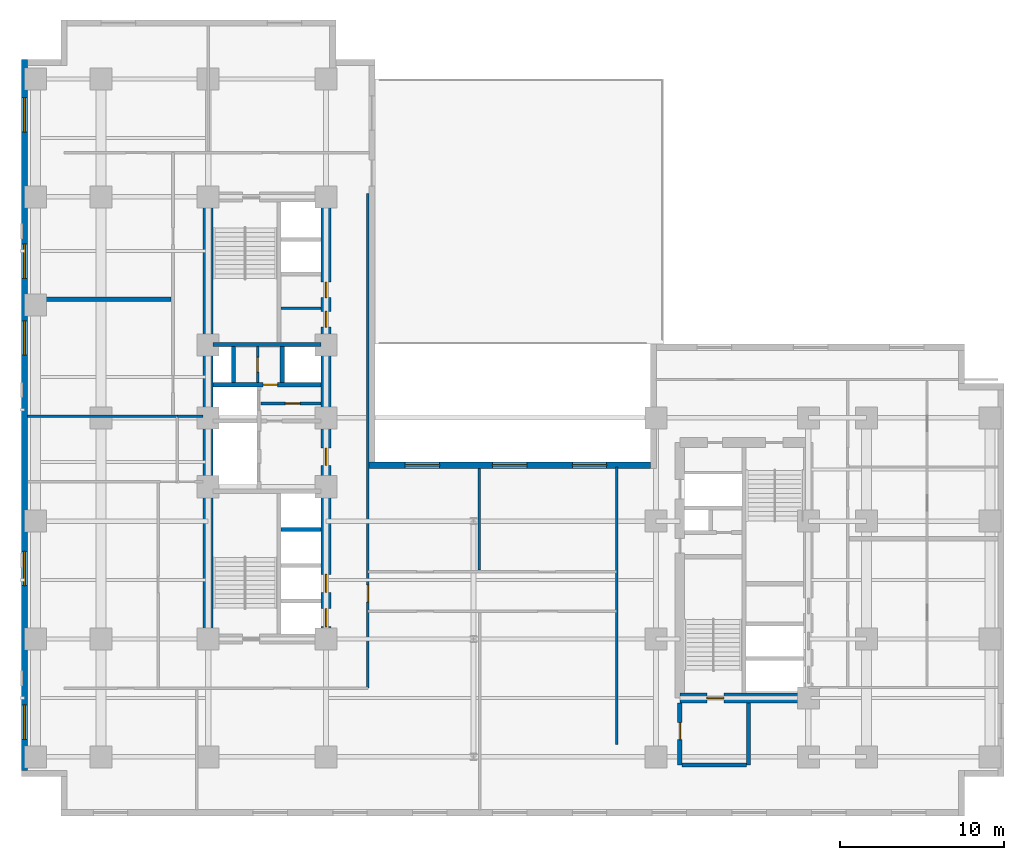
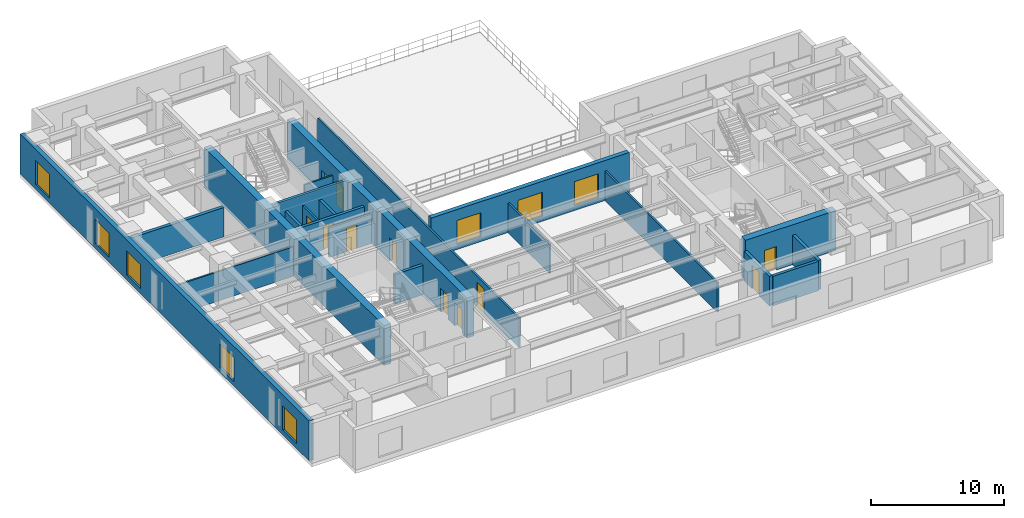
# One storey, part 4 of 10: 23 walls, 11 doors, 8 windows, 19 openings.
"""IFC4 building model written with IfcOpenShell, lengths in metres."""

from ifc_helpers import new_model, entity, si_unit, converted_unit, direction, frame, origin_with_axes, origin_2d_with_axis, place, context, subcontext, project, spatial, polyline, rectangle, outline, extrude, material, layer, layer_set, type_object, element, fill, save


model = new_model("IFC4")

# Units and contexts
model_context = context("Model", 3, precision=1e-05, world=origin_with_axes(), true_north=direction((0.0, 1.0)))
body_context = subcontext(model_context, "Body", "Model", "MODEL_VIEW")
ifc_project = project(units=[si_unit("LENGTHUNIT", "METRE"), si_unit("AREAUNIT", "SQUARE_METRE"), si_unit("VOLUMEUNIT", "CUBIC_METRE"), converted_unit("PLANEANGLEUNIT", "DEGREE", entity("IfcPlaneAngleMeasure", 0.017453292519943295), si_unit("PLANEANGLEUNIT", "RADIAN"), dimensions=[0, 0, 0, 0, 0, 0, 0]), si_unit("MASSUNIT", "GRAM", prefix="KILO"), si_unit("THERMODYNAMICTEMPERATUREUNIT", "KELVIN")], contexts=[model_context])

# Site, building, storey
site_placement = place(None, origin_with_axes())
site = spatial("IfcSite", under=ifc_project, at=site_placement, CompositionType="ELEMENT")
building_placement = place(site_placement, origin_with_axes())
building = spatial("IfcBuilding", under=site, at=building_placement, Name="Varnlund Millrace Tower", CompositionType="ELEMENT")
storey_placement = place(building_placement, frame((0.0, 0.0, 28.8), z_axis=(0.0, 0.0, 1.0), x_axis=(1.0, 0.0, 0.0)))
storey = spatial("IfcBuildingStorey", under=building, at=storey_placement, Name="L06", CompositionType="ELEMENT", Elevation=28.8)

# Wall
ifc_material_1 = material(Name="Concrete C80/95", Category="concrete")
ifc_layer_1 = layer(ifc_material_1, 0.6, Name="Concrete C80/95")
ifc_layer_set_1 = layer_set([ifc_layer_1], Name="Concrete C80/95")
wall_type_1 = type_object("IfcWallType", Name="Type-CoreWall-Shear-600-C80", PredefinedType="SHEAR", material=ifc_layer_set_1)
wall_1_placement = place(storey_placement, frame((11.4, 10.8, 0.0), z_axis=(0.0, 0.0, 1.0), x_axis=(0.0, 1.0, 0.0)))
element("IfcWall", 1, at=wall_1_placement, inside=storey, type_object=wall_type_1, Name="Type-CoreWall-Shear-600-C80", PredefinedType="SHEAR", context=body_context, shape_type="SweptSolid", body=[
    extrude(outline(polyline([(0.0, -0.3), (27.0, -0.3), (27.0, 0.3), (0.0, 0.3), (0.0, -0.3)])), origin_with_axes(), (0.0, 0.0, 1.0), 3.66),
])

# Wall, openings, doors
wall_2_placement = place(storey_placement, frame((18.6, 10.8, 0.0), z_axis=(0.0, 0.0, 1.0), x_axis=(0.0, 1.0, 0.0)))
wall_2 = element("IfcWall", 2, at=wall_2_placement, inside=storey, type_object=wall_type_1, Name="Type-CoreWall-Shear-600-C80", PredefinedType="SHEAR", context=body_context, shape_type="SweptSolid", body=[
    extrude(outline(polyline([(0.0, -0.3), (13.5, -0.3), (13.5, 0.3), (0.0, 0.3), (0.0, -0.3)])), origin_with_axes(), (0.0, 0.0, 1.0), 3.66),
])
opening_1_placement = place(wall_2_placement, frame((1.3, 0.0, 0.0), z_axis=(0.0, 0.0, 1.0), x_axis=(1.0, 0.0, 0.0)))
opening_1 = element("IfcOpeningElement", 3, at=opening_1_placement, cuts=wall_2, Name="Opening L06:LD-ELV-L1", PredefinedType="OPENING", context=body_context, shape_type="SweptSolid", body=[
    extrude(rectangle(XDim=1.1, YDim=0.62, at=origin_2d_with_axis()), origin_with_axes(), (0.0, 0.0, 1.0), 2.15),
])
opening_2_placement = place(wall_2_placement, frame((3.4, 0.0, 0.0), z_axis=(0.0, 0.0, 1.0), x_axis=(1.0, 0.0, 0.0)))
opening_2 = element("IfcOpeningElement", 4, at=opening_2_placement, cuts=wall_2, Name="Opening L06:LD-ELV-L2", PredefinedType="OPENING", context=body_context, shape_type="SweptSolid", body=[
    extrude(rectangle(XDim=1.1, YDim=0.62, at=origin_2d_with_axis()), origin_with_axes(), (0.0, 0.0, 1.0), 2.15),
])
opening_3_placement = place(wall_2_placement, frame((11.125, 0.0, 0.0), z_axis=(0.0, 0.0, 1.0), x_axis=(1.0, 0.0, 0.0)))
opening_3 = element("IfcOpeningElement", 5, at=opening_3_placement, cuts=wall_2, Name="Opening L06:DR-FFLOB-A", PredefinedType="OPENING", context=body_context, shape_type="SweptSolid", body=[
    extrude(rectangle(XDim=1.05, YDim=0.62, at=origin_2d_with_axis()), origin_with_axes(), (0.0, 0.0, 1.0), 2.15),
])
ifc_material_2 = material(Name="Smoke-barrier hollow steel fire door", Category="steel")
door_type_1 = type_object("IfcDoorType", Name="Type-FireDoor-Lobby-1050X2150", OperationType="NOTDEFINED", PredefinedType="DOOR", material=ifc_material_2)
door_1_placement = place(wall_2_placement, frame((11.125, 0.0, 0.0), z_axis=(0.0, 0.0, 1.0), x_axis=(1.0, 0.0, 0.0)))
door_1 = element("IfcDoor", 6, at=door_1_placement, inside=storey, type_object=door_type_1, Name="Type-FireDoor-Lobby-1050X2150", OperationType="SINGLE_SWING_LEFT", OverallHeight=2.15, OverallWidth=1.05, PredefinedType="DOOR", context=body_context, shape_type="SweptSolid", body=[
    extrude(rectangle(XDim=1.05, YDim=0.09, at=origin_2d_with_axis()), origin_with_axes(), (0.0, 0.0, 1.0), 2.15),
])
fill(opening_3, door_1)
ifc_material_3 = material(Name="Stainless and architectural bronze sliding landing door")
door_type_2 = type_object("IfcDoorType", Name="Type-LiftLandingDoor-1100X2150", OperationType="NOTDEFINED", PredefinedType="DOOR", material=ifc_material_3)
door_2_placement = place(wall_2_placement, frame((1.3, 0.0, 0.0), z_axis=(0.0, 0.0, 1.0), x_axis=(1.0, 0.0, 0.0)))
door_2 = element("IfcDoor", 7, at=door_2_placement, inside=storey, type_object=door_type_2, Name="Type-LiftLandingDoor-1100X2150", OperationType="SLIDING_TO_LEFT", OverallHeight=2.15, OverallWidth=1.1, PredefinedType="DOOR", context=body_context, shape_type="SweptSolid", body=[
    extrude(rectangle(XDim=1.1, YDim=0.09, at=origin_2d_with_axis()), origin_with_axes(), (0.0, 0.0, 1.0), 2.15),
])
fill(opening_1, door_2)
door_3_placement = place(wall_2_placement, frame((3.4, 0.0, 0.0), z_axis=(0.0, 0.0, 1.0), x_axis=(1.0, 0.0, 0.0)))
door_3 = element("IfcDoor", 8, at=door_3_placement, inside=storey, type_object=door_type_2, Name="Type-LiftLandingDoor-1100X2150", OperationType="SLIDING_TO_RIGHT", OverallHeight=2.15, OverallWidth=1.1, PredefinedType="DOOR", context=body_context, shape_type="SweptSolid", body=[
    extrude(rectangle(XDim=1.1, YDim=0.09, at=origin_2d_with_axis()), origin_with_axes(), (0.0, 0.0, 1.0), 2.15),
])
fill(opening_2, door_3)

wall_3_placement = place(storey_placement, frame((18.6, 24.3, 0.0), z_axis=(0.0, 0.0, 1.0), x_axis=(0.0, 1.0, 0.0)))
wall_3 = element("IfcWall", 9, at=wall_3_placement, inside=storey, type_object=wall_type_1, Name="Type-CoreWall-Shear-600-C80", PredefinedType="SHEAR", context=body_context, shape_type="SweptSolid", body=[
    extrude(outline(polyline([(0.0, -0.3), (13.5, -0.3), (13.5, 0.3), (0.0, 0.3), (0.0, -0.3)])), origin_with_axes(), (0.0, 0.0, 1.0), 3.66),
])
opening_4_placement = place(wall_3_placement, frame((6.025, 0.0, 0.0), z_axis=(0.0, 0.0, 1.0), x_axis=(1.0, 0.0, 0.0)))
opening_4 = element("IfcOpeningElement", 10, at=opening_4_placement, cuts=wall_3, Name="Opening L06:DR-CA-WC1", PredefinedType="OPENING", context=body_context, shape_type="SweptSolid", body=[
    extrude(rectangle(XDim=0.95, YDim=0.62, at=origin_2d_with_axis()), origin_with_axes(), (0.0, 0.0, 1.0), 2.15),
])
opening_5_placement = place(wall_3_placement, frame((7.825, 0.0, 0.0), z_axis=(0.0, 0.0, 1.0), x_axis=(1.0, 0.0, 0.0)))
opening_5 = element("IfcOpeningElement", 11, at=opening_5_placement, cuts=wall_3, Name="Opening L06:DR-CA-WC2", PredefinedType="OPENING", context=body_context, shape_type="SweptSolid", body=[
    extrude(rectangle(XDim=0.95, YDim=0.62, at=origin_2d_with_axis()), origin_with_axes(), (0.0, 0.0, 1.0), 2.15),
])
ifc_material_4 = material(Name="Fire-rated hollow steel core service door", Category="steel")
door_type_3 = type_object("IfcDoorType", Name="Type-FireDoor-Service-950X2150", OperationType="NOTDEFINED", PredefinedType="DOOR", material=ifc_material_4)
door_4_placement = place(wall_3_placement, frame((6.025, 0.0, 0.0), z_axis=(0.0, 0.0, 1.0), x_axis=(1.0, 0.0, 0.0)))
door_4 = element("IfcDoor", 12, at=door_4_placement, inside=storey, type_object=door_type_3, Name="Type-FireDoor-Service-950X2150", OperationType="SINGLE_SWING_RIGHT", OverallHeight=2.15, OverallWidth=0.95, PredefinedType="DOOR", context=body_context, shape_type="SweptSolid", body=[
    extrude(rectangle(XDim=0.95, YDim=0.09, at=origin_2d_with_axis()), origin_with_axes(), (0.0, 0.0, 1.0), 2.15),
])
fill(opening_4, door_4)
door_5_placement = place(wall_3_placement, frame((7.825, 0.0, 0.0), z_axis=(0.0, 0.0, 1.0), x_axis=(1.0, 0.0, 0.0)))
door_5 = element("IfcDoor", 13, at=door_5_placement, inside=storey, type_object=door_type_3, Name="Type-FireDoor-Service-950X2150", OperationType="SINGLE_SWING_RIGHT", OverallHeight=2.15, OverallWidth=0.95, PredefinedType="DOOR", context=body_context, shape_type="SweptSolid", body=[
    extrude(rectangle(XDim=0.95, YDim=0.09, at=origin_2d_with_axis()), origin_with_axes(), (0.0, 0.0, 1.0), 2.15),
])
fill(opening_5, door_5)

# Wall, opening, door
wall_4_placement = place(storey_placement, frame((40.2, 7.2, 0.0), z_axis=(0.0, 0.0, 1.0), x_axis=(1.0, 0.0, 0.0)))
wall_4 = element("IfcWall", 14, at=wall_4_placement, inside=storey, type_object=wall_type_1, Name="Type-CoreWall-Shear-600-C80", PredefinedType="SHEAR", context=body_context, shape_type="SweptSolid", body=[
    extrude(outline(polyline([(0.0, -0.3), (7.85, -0.3), (7.85, 0.3), (0.0, 0.3), (0.0, -0.3)])), origin_with_axes(), (0.0, 0.0, 1.0), 3.66),
])
opening_6_placement = place(wall_4_placement, frame((2.175, 0.0, 0.0), z_axis=(0.0, 0.0, 1.0), x_axis=(1.0, 0.0, 0.0)))
opening_6 = element("IfcOpeningElement", 15, at=opening_6_placement, cuts=wall_4, Name="Opening L06:DR-STB1", PredefinedType="OPENING", context=body_context, shape_type="SweptSolid", body=[
    extrude(rectangle(XDim=1.05, YDim=0.62, at=origin_2d_with_axis()), origin_with_axes(), (0.0, 0.0, 1.0), 2.15),
])
ifc_material_5 = material(Name="Fire-rated hollow steel door", Category="steel")
door_type_4 = type_object("IfcDoorType", Name="Type-FireDoor-Stair-1050X2150", OperationType="NOTDEFINED", PredefinedType="DOOR", material=ifc_material_5)
door_6_placement = place(wall_4_placement, frame((2.175, 0.0, 0.0), z_axis=(0.0, 0.0, 1.0), x_axis=(1.0, 0.0, 0.0)))
door_6 = element("IfcDoor", 16, at=door_6_placement, inside=storey, type_object=door_type_4, Name="Type-FireDoor-Stair-1050X2150", OperationType="SINGLE_SWING_LEFT", OverallHeight=2.15, OverallWidth=1.05, PredefinedType="DOOR", context=body_context, shape_type="SweptSolid", body=[
    extrude(rectangle(XDim=1.05, YDim=0.09, at=origin_2d_with_axis()), origin_with_axes(), (0.0, 0.0, 1.0), 2.15),
])
fill(opening_6, door_6)

# Wall, openings, windows
ifc_material_6 = material(Name="Precast concrete C50/60", Category="concrete")
ifc_layer_2 = layer(ifc_material_6, 0.38, Name="Precast concrete C50/60")
ifc_layer_set_2 = layer_set([ifc_layer_2], Name="Precast concrete C50/60")
wall_type_2 = type_object("IfcWallType", Name="Type-ExtWall-Precast-Tube-380", PredefinedType="SOLIDWALL", material=ifc_layer_set_2)
wall_5_placement = place(storey_placement, frame((0.19, 2.78, 0.0), z_axis=(0.0, 0.0, 1.0), x_axis=(0.0, 1.0, 0.0)))
wall_5 = element("IfcWall", 17, at=wall_5_placement, inside=storey, type_object=wall_type_2, Name="Type-ExtWall-Precast-Tube-380", PredefinedType="SOLIDWALL", context=body_context, shape_type="SweptSolid", body=[
    extrude(outline(polyline([(0.0, -0.19), (43.42, -0.19), (43.42, 0.19), (0.0, 0.19), (0.0, -0.19)])), origin_with_axes(), (0.0, 0.0, 1.0), 3.66),
])
opening_7_placement = place(wall_5_placement, frame((2.946, 0.0, 0.45), z_axis=(0.0, 0.0, 1.0), x_axis=(1.0, 0.0, 0.0)))
opening_7 = element("IfcOpeningElement", 18, at=opening_7_placement, cuts=wall_5, Name="Opening L06:WN-15", PredefinedType="OPENING", context=body_context, shape_type="SweptSolid", body=[
    extrude(rectangle(XDim=2.1, YDim=0.4, at=origin_2d_with_axis()), origin_with_axes(), (0.0, 0.0, 1.0), 2.2),
])
opening_8_placement = place(wall_5_placement, frame((12.328, 0.0, 0.45), z_axis=(0.0, 0.0, 1.0), x_axis=(1.0, 0.0, 0.0)))
opening_8 = element("IfcOpeningElement", 19, at=opening_8_placement, cuts=wall_5, Name="Opening L06:WN-16", PredefinedType="OPENING", context=body_context, shape_type="SweptSolid", body=[
    extrude(rectangle(XDim=2.1, YDim=0.4, at=origin_2d_with_axis()), origin_with_axes(), (0.0, 0.0, 1.0), 2.2),
])
opening_9_placement = place(wall_5_placement, frame((26.401, 0.0, 0.45), z_axis=(0.0, 0.0, 1.0), x_axis=(1.0, 0.0, 0.0)))
opening_9 = element("IfcOpeningElement", 20, at=opening_9_placement, cuts=wall_5, Name="Opening L06:WN-17", PredefinedType="OPENING", context=body_context, shape_type="SweptSolid", body=[
    extrude(rectangle(XDim=2.1, YDim=0.4, at=origin_2d_with_axis()), origin_with_axes(), (0.0, 0.0, 1.0), 2.2),
])
opening_10_placement = place(wall_5_placement, frame((31.092, 0.0, 0.45), z_axis=(0.0, 0.0, 1.0), x_axis=(1.0, 0.0, 0.0)))
opening_10 = element("IfcOpeningElement", 21, at=opening_10_placement, cuts=wall_5, Name="Opening L06:WN-18", PredefinedType="OPENING", context=body_context, shape_type="SweptSolid", body=[
    extrude(rectangle(XDim=2.1, YDim=0.4, at=origin_2d_with_axis()), origin_with_axes(), (0.0, 0.0, 1.0), 2.2),
])
opening_11_placement = place(wall_5_placement, frame((40.024, 0.0, 0.45), z_axis=(0.0, 0.0, 1.0), x_axis=(1.0, 0.0, 0.0)))
opening_11 = element("IfcOpeningElement", 22, at=opening_11_placement, cuts=wall_5, Name="Opening L06:WN-19", PredefinedType="OPENING", context=body_context, shape_type="SweptSolid", body=[
    extrude(rectangle(XDim=2.1, YDim=0.4, at=origin_2d_with_axis()), origin_with_axes(), (0.0, 0.0, 1.0), 2.2),
])
ifc_material_7 = material(Name="Argon low-e triple glazing in thermally broken bronze frame", Category="glass")
window_type = type_object("IfcWindowType", Name="Type-Window-Punched-2100X2200", PartitioningType="SINGLE_PANEL", PredefinedType="WINDOW", material=ifc_material_7)
window_1_placement = place(wall_5_placement, frame((2.946, 0.0, 0.45), z_axis=(0.0, 0.0, 1.0), x_axis=(1.0, 0.0, 0.0)))
window_1 = element("IfcWindow", 23, at=window_1_placement, inside=storey, type_object=window_type, Name="Type-Window-Punched-2100X2200", OverallHeight=2.2, OverallWidth=2.1, PredefinedType="WINDOW", context=body_context, shape_type="SweptSolid", body=[
    extrude(rectangle(XDim=2.1, YDim=0.09, at=origin_2d_with_axis()), origin_with_axes(), (0.0, 0.0, 1.0), 2.2),
])
fill(opening_7, window_1)
window_2_placement = place(wall_5_placement, frame((12.328, 0.0, 0.45), z_axis=(0.0, 0.0, 1.0), x_axis=(1.0, 0.0, 0.0)))
window_2 = element("IfcWindow", 24, at=window_2_placement, inside=storey, type_object=window_type, Name="Type-Window-Punched-2100X2200", OverallHeight=2.2, OverallWidth=2.1, PredefinedType="WINDOW", context=body_context, shape_type="SweptSolid", body=[
    extrude(rectangle(XDim=2.1, YDim=0.09, at=origin_2d_with_axis()), origin_with_axes(), (0.0, 0.0, 1.0), 2.2),
])
fill(opening_8, window_2)
window_3_placement = place(wall_5_placement, frame((26.401, 0.0, 0.45), z_axis=(0.0, 0.0, 1.0), x_axis=(1.0, 0.0, 0.0)))
window_3 = element("IfcWindow", 25, at=window_3_placement, inside=storey, type_object=window_type, Name="Type-Window-Punched-2100X2200", OverallHeight=2.2, OverallWidth=2.1, PredefinedType="WINDOW", context=body_context, shape_type="SweptSolid", body=[
    extrude(rectangle(XDim=2.1, YDim=0.09, at=origin_2d_with_axis()), origin_with_axes(), (0.0, 0.0, 1.0), 2.2),
])
fill(opening_9, window_3)
window_4_placement = place(wall_5_placement, frame((31.092, 0.0, 0.45), z_axis=(0.0, 0.0, 1.0), x_axis=(1.0, 0.0, 0.0)))
window_4 = element("IfcWindow", 26, at=window_4_placement, inside=storey, type_object=window_type, Name="Type-Window-Punched-2100X2200", OverallHeight=2.2, OverallWidth=2.1, PredefinedType="WINDOW", context=body_context, shape_type="SweptSolid", body=[
    extrude(rectangle(XDim=2.1, YDim=0.09, at=origin_2d_with_axis()), origin_with_axes(), (0.0, 0.0, 1.0), 2.2),
])
fill(opening_10, window_4)
window_5_placement = place(wall_5_placement, frame((40.024, 0.0, 0.45), z_axis=(0.0, 0.0, 1.0), x_axis=(1.0, 0.0, 0.0)))
window_5 = element("IfcWindow", 27, at=window_5_placement, inside=storey, type_object=window_type, Name="Type-Window-Punched-2100X2200", OverallHeight=2.2, OverallWidth=2.1, PredefinedType="WINDOW", context=body_context, shape_type="SweptSolid", body=[
    extrude(rectangle(XDim=2.1, YDim=0.09, at=origin_2d_with_axis()), origin_with_axes(), (0.0, 0.0, 1.0), 2.2),
])
fill(opening_11, window_5)

wall_6_placement = place(storey_placement, frame((21.22, 21.41, 0.0), z_axis=(0.0, 0.0, 1.0), x_axis=(1.0, 0.0, 0.0)))
wall_6 = element("IfcWall", 28, at=wall_6_placement, inside=storey, type_object=wall_type_2, Name="Type-ExtWall-Precast-Tube-380", PredefinedType="SOLIDWALL", context=body_context, shape_type="SweptSolid", body=[
    extrude(outline(polyline([(0.0, -0.19), (17.18, -0.19), (17.18, 0.19), (0.0, 0.19), (0.0, -0.19)])), origin_with_axes(), (0.0, 0.0, 1.0), 3.66),
])
opening_12_placement = place(wall_6_placement, frame((3.263, 0.0, 0.45), z_axis=(0.0, 0.0, 1.0), x_axis=(1.0, 0.0, 0.0)))
opening_12 = element("IfcOpeningElement", 29, at=opening_12_placement, cuts=wall_6, Name="Opening L06:WN-23", PredefinedType="OPENING", context=body_context, shape_type="SweptSolid", body=[
    extrude(rectangle(XDim=2.1, YDim=0.4, at=origin_2d_with_axis()), origin_with_axes(), (0.0, 0.0, 1.0), 2.2),
])
opening_13_placement = place(wall_6_placement, frame((8.59, 0.0, 0.45), z_axis=(0.0, 0.0, 1.0), x_axis=(1.0, 0.0, 0.0)))
opening_13 = element("IfcOpeningElement", 30, at=opening_13_placement, cuts=wall_6, Name="Opening L06:WN-24", PredefinedType="OPENING", context=body_context, shape_type="SweptSolid", body=[
    extrude(rectangle(XDim=2.1, YDim=0.4, at=origin_2d_with_axis()), origin_with_axes(), (0.0, 0.0, 1.0), 2.2),
])
opening_14_placement = place(wall_6_placement, frame((13.467, 0.0, 0.45), z_axis=(0.0, 0.0, 1.0), x_axis=(1.0, 0.0, 0.0)))
opening_14 = element("IfcOpeningElement", 31, at=opening_14_placement, cuts=wall_6, Name="Opening L06:WN-25", PredefinedType="OPENING", context=body_context, shape_type="SweptSolid", body=[
    extrude(rectangle(XDim=2.1, YDim=0.4, at=origin_2d_with_axis()), origin_with_axes(), (0.0, 0.0, 1.0), 2.2),
])
window_6_placement = place(wall_6_placement, frame((3.263, 0.0, 0.45), z_axis=(0.0, 0.0, 1.0), x_axis=(1.0, 0.0, 0.0)))
window_6 = element("IfcWindow", 32, at=window_6_placement, inside=storey, type_object=window_type, Name="Type-Window-Punched-2100X2200", OverallHeight=2.2, OverallWidth=2.1, PredefinedType="WINDOW", context=body_context, shape_type="SweptSolid", body=[
    extrude(rectangle(XDim=2.1, YDim=0.09, at=origin_2d_with_axis()), origin_with_axes(), (0.0, 0.0, 1.0), 2.2),
])
fill(opening_12, window_6)
window_7_placement = place(wall_6_placement, frame((8.59, 0.0, 0.45), z_axis=(0.0, 0.0, 1.0), x_axis=(1.0, 0.0, 0.0)))
window_7 = element("IfcWindow", 33, at=window_7_placement, inside=storey, type_object=window_type, Name="Type-Window-Punched-2100X2200", OverallHeight=2.2, OverallWidth=2.1, PredefinedType="WINDOW", context=body_context, shape_type="SweptSolid", body=[
    extrude(rectangle(XDim=2.1, YDim=0.09, at=origin_2d_with_axis()), origin_with_axes(), (0.0, 0.0, 1.0), 2.2),
])
fill(opening_13, window_7)
window_8_placement = place(wall_6_placement, frame((13.467, 0.0, 0.45), z_axis=(0.0, 0.0, 1.0), x_axis=(1.0, 0.0, 0.0)))
window_8 = element("IfcWindow", 34, at=window_8_placement, inside=storey, type_object=window_type, Name="Type-Window-Punched-2100X2200", OverallHeight=2.2, OverallWidth=2.1, PredefinedType="WINDOW", context=body_context, shape_type="SweptSolid", body=[
    extrude(rectangle(XDim=2.1, YDim=0.09, at=origin_2d_with_axis()), origin_with_axes(), (0.0, 0.0, 1.0), 2.2),
])
fill(opening_14, window_8)

# Wall
ifc_material_8 = material(Name="Double-stud STC-60 conference acoustic partition", Category="gypsum")
ifc_layer_3 = layer(ifc_material_8, 0.28, Name="Double-stud STC-60 conference acoustic partition")
ifc_layer_set_3 = layer_set([ifc_layer_3], Name="Double-stud STC-60 conference acoustic partition")
wall_type_3 = type_object("IfcWallType", Name="Type-Partition-Acoustic-280", PredefinedType="PARTITIONING", material=ifc_layer_set_3)
wall_7_placement = place(storey_placement, frame((0.375, 31.535, 0.0), z_axis=(0.0, 0.0, 1.0), x_axis=(1.0, 0.0, 0.0)))
element("IfcWall", 35, at=wall_7_placement, inside=storey, type_object=wall_type_3, Name="Type-Partition-Acoustic-280", PredefinedType="PARTITIONING", context=body_context, shape_type="SweptSolid", body=[
    extrude(outline(polyline([(0.0, -0.14), (8.755, -0.14), (8.755, 0.14), (0.0, 0.14), (0.0, -0.14)])), origin_with_axes(), (0.0, 0.0, 1.0), 2.7),
])

# Wall, opening, door
ifc_material_9 = material(Name="Fire-rated gypsum board on cold-formed steel framing", Category="steel")
ifc_layer_4 = layer(ifc_material_9, 0.16, Name="Fire-rated gypsum board on cold-formed steel framing")
ifc_layer_set_4 = layer_set([ifc_layer_4], Name="Fire-rated gypsum board on cold-formed steel framing")
wall_type_4 = type_object("IfcWallType", Name="Type-Partition-Corridor-160", PredefinedType="PARTITIONING", material=ifc_layer_set_4)
wall_8_placement = place(storey_placement, frame((14.62, 25.18, 0.0), z_axis=(0.0, 0.0, 1.0), x_axis=(1.0, 0.0, 0.0)))
wall_8 = element("IfcWall", 36, at=wall_8_placement, inside=storey, type_object=wall_type_4, Name="Type-Partition-Corridor-160", PredefinedType="PARTITIONING", context=body_context, shape_type="SweptSolid", body=[
    extrude(outline(polyline([(0.0, -0.08), (3.68, -0.08), (3.68, 0.08), (0.0, 0.08), (0.0, -0.08)])), origin_with_axes(), (0.0, 0.0, 1.0), 2.7),
])
opening_15_placement = place(wall_8_placement, frame((1.95, 0.0, 0.0), z_axis=(0.0, 0.0, 1.0), x_axis=(1.0, 0.0, 0.0)))
opening_15 = element("IfcOpeningElement", 37, at=opening_15_placement, cuts=wall_8, Name="Opening L06:DR-CA-SUB2", PredefinedType="OPENING", context=body_context, shape_type="SweptSolid", body=[
    extrude(rectangle(XDim=0.9, YDim=0.18, at=origin_2d_with_axis()), origin_with_axes(), (0.0, 0.0, 1.0), 2.15),
])
ifc_material_10 = material(Name="Painted steel riser and closet door", Category="steel")
door_type_5 = type_object("IfcDoorType", Name="Type-IntDoor-Closet-900X2150", OperationType="NOTDEFINED", PredefinedType="DOOR", material=ifc_material_10)
door_7_placement = place(wall_8_placement, frame((1.95, 0.0, 0.0), z_axis=(0.0, 0.0, 1.0), x_axis=(1.0, 0.0, 0.0)))
door_7 = element("IfcDoor", 38, at=door_7_placement, inside=storey, type_object=door_type_5, Name="Type-IntDoor-Closet-900X2150", OperationType="SINGLE_SWING_LEFT", OverallHeight=2.15, OverallWidth=0.9, PredefinedType="DOOR", context=body_context, shape_type="SweptSolid", body=[
    extrude(rectangle(XDim=0.9, YDim=0.09, at=origin_2d_with_axis()), origin_with_axes(), (0.0, 0.0, 1.0), 2.15),
])
fill(opening_15, door_7)

wall_9_placement = place(storey_placement, frame((14.42, 26.45, 0.0), z_axis=(0.0, 0.0, 1.0), x_axis=(0.0, 1.0, 0.0)))
wall_9 = element("IfcWall", 39, at=wall_9_placement, inside=storey, type_object=wall_type_4, Name="Type-Partition-Corridor-160", PredefinedType="PARTITIONING", context=body_context, shape_type="SweptSolid", body=[
    extrude(outline(polyline([(0.0, -0.08), (2.2, -0.08), (2.2, 0.08), (0.0, 0.08), (0.0, -0.08)])), origin_with_axes(), (0.0, 0.0, 1.0), 2.7),
])
opening_16_placement = place(wall_9_placement, frame((1.1, 0.0, 0.0), z_axis=(0.0, 0.0, 1.0), x_axis=(1.0, 0.0, 0.0)))
opening_16 = element("IfcOpeningElement", 40, at=opening_16_placement, cuts=wall_9, Name="Opening L06:DR-CA-EL2", PredefinedType="OPENING", context=body_context, shape_type="SweptSolid", body=[
    extrude(rectangle(XDim=0.9, YDim=0.18, at=origin_2d_with_axis()), origin_with_axes(), (0.0, 0.0, 1.0), 2.15),
])
door_8_placement = place(wall_9_placement, frame((1.1, 0.0, 0.0), z_axis=(0.0, 0.0, 1.0), x_axis=(1.0, 0.0, 0.0)))
door_8 = element("IfcDoor", 41, at=door_8_placement, inside=storey, type_object=door_type_5, Name="Type-IntDoor-Closet-900X2150", OperationType="SINGLE_SWING_LEFT", OverallHeight=2.15, OverallWidth=0.9, PredefinedType="DOOR", context=body_context, shape_type="SweptSolid", body=[
    extrude(rectangle(XDim=0.9, YDim=0.09, at=origin_2d_with_axis()), origin_with_axes(), (0.0, 0.0, 1.0), 2.15),
])
fill(opening_16, door_8)

wall_10_placement = place(storey_placement, frame((21.15, 7.8, 0.0), z_axis=(0.0, 0.0, 1.0), x_axis=(0.0, 1.0, 0.0)))
wall_10 = element("IfcWall", 42, at=wall_10_placement, inside=storey, type_object=wall_type_4, Name="Type-Partition-Corridor-160", PredefinedType="PARTITIONING", context=body_context, shape_type="SweptSolid", body=[
    extrude(outline(polyline([(0.0, -0.08), (30.2, -0.08), (30.2, 0.08), (0.0, 0.08), (0.0, -0.08)])), origin_with_axes(), (0.0, 0.0, 1.0), 2.7),
])
opening_17_placement = place(wall_10_placement, frame((5.775, 0.0, 0.0), z_axis=(0.0, 0.0, 1.0), x_axis=(1.0, 0.0, 0.0)))
opening_17 = element("IfcOpeningElement", 43, at=opening_17_placement, cuts=wall_10, Name="Opening L06:DR-KN-W", PredefinedType="OPENING", context=body_context, shape_type="SweptSolid", body=[
    extrude(rectangle(XDim=1.05, YDim=0.18, at=origin_2d_with_axis()), origin_with_axes(), (0.0, 0.0, 1.0), 2.15),
])
door_9_placement = place(wall_10_placement, frame((5.775, 0.0, 0.0), z_axis=(0.0, 0.0, 1.0), x_axis=(1.0, 0.0, 0.0)))
door_9 = element("IfcDoor", 44, at=door_9_placement, inside=storey, type_object=door_type_1, Name="Type-FireDoor-Lobby-1050X2150", OperationType="SINGLE_SWING_LEFT", OverallHeight=2.15, OverallWidth=1.05, PredefinedType="DOOR", context=body_context, shape_type="SweptSolid", body=[
    extrude(rectangle(XDim=1.05, YDim=0.09, at=origin_2d_with_axis()), origin_with_axes(), (0.0, 0.0, 1.0), 2.15),
])
fill(opening_17, door_9)

# Walls
wall_11_placement = place(storey_placement, frame((36.35, 4.35, 0.0), z_axis=(0.0, 0.0, 1.0), x_axis=(0.0, 1.0, 0.0)))
element("IfcWall", 45, at=wall_11_placement, inside=storey, type_object=wall_type_4, Name="Type-Partition-Corridor-160", PredefinedType="PARTITIONING", context=body_context, shape_type="SweptSolid", body=[
    extrude(outline(polyline([(0.0, -0.08), (16.95, -0.08), (16.95, 0.08), (0.0, 0.08), (0.0, -0.08)])), origin_with_axes(), (0.0, 0.0, 1.0), 2.7),
])
ifc_material_11 = material(Name="Acoustic STC-50 gypsum board partition", Category="gypsum")
ifc_layer_5 = layer(ifc_material_11, 0.15, Name="Acoustic STC-50 gypsum board partition")
ifc_layer_set_5 = layer_set([ifc_layer_5], Name="Acoustic STC-50 gypsum board partition")
wall_type_5 = type_object("IfcWallType", Name="Type-Partition-Demising-150", PredefinedType="PARTITIONING", material=ifc_layer_set_5)
wall_12_placement = place(storey_placement, frame((27.949, 15.02, 0.0), z_axis=(0.0, 0.0, 1.0), x_axis=(0.0, 1.0, 0.0)))
element("IfcWall", 46, at=wall_12_placement, inside=storey, type_object=wall_type_5, Name="Type-Partition-Demising-150", PredefinedType="PARTITIONING", context=body_context, shape_type="SweptSolid", body=[
    extrude(outline(polyline([(0.0, -0.075), (6.205, -0.075), (6.205, 0.075), (0.0, 0.075), (0.0, -0.075)])), origin_with_axes(), (0.0, 0.0, 1.0), 2.7),
])
ifc_material_12 = material(Name="Moisture-resistant gypsum restroom partition", Category="gypsum")
ifc_layer_6 = layer(ifc_material_12, 0.14, Name="Moisture-resistant gypsum restroom partition")
ifc_layer_set_6 = layer_set([ifc_layer_6], Name="Moisture-resistant gypsum restroom partition")
wall_type_6 = type_object("IfcWallType", Name="Type-Partition-Wet-140", PredefinedType="PARTITIONING", material=ifc_layer_set_6)
wall_13_placement = place(storey_placement, frame((15.84, 31.0, 0.0), z_axis=(0.0, 0.0, 1.0), x_axis=(1.0, 0.0, 0.0)))
element("IfcWall", 47, at=wall_13_placement, inside=storey, type_object=wall_type_6, Name="Type-Partition-Wet-140", PredefinedType="PARTITIONING", context=body_context, shape_type="SweptSolid", body=[
    extrude(outline(polyline([(0.0, -0.07), (2.46, -0.07), (2.46, 0.07), (0.0, 0.07), (0.0, -0.07)])), origin_with_axes(), (0.0, 0.0, 1.0), 2.7),
])
wall_14_placement = place(storey_placement, frame((9.52, 24.4, 0.0), z_axis=(0.0, 0.0, 1.0), x_axis=(1.0, 0.0, 0.0)))
element("IfcWall", 48, at=wall_14_placement, inside=storey, type_object=wall_type_6, Name="Type-Partition-Wet-140", PredefinedType="PARTITIONING", context=body_context, shape_type="SweptSolid", body=[
    extrude(outline(polyline([(0.0, -0.07), (1.58, -0.07), (1.58, 0.07), (0.0, 0.07), (0.0, -0.07)])), origin_with_axes(), (0.0, 0.0, 1.0), 2.7),
])
wall_15_placement = place(storey_placement, frame((0.36, 24.4, 0.0), z_axis=(0.0, 0.0, 1.0), x_axis=(1.0, 0.0, 0.0)))
element("IfcWall", 49, at=wall_15_placement, inside=storey, type_object=wall_type_6, Name="Type-Partition-Wet-140", PredefinedType="PARTITIONING", context=body_context, shape_type="SweptSolid", body=[
    extrude(outline(polyline([(0.0, -0.07), (9.16, -0.07), (9.16, 0.07), (0.0, 0.07), (0.0, -0.07)])), origin_with_axes(), (0.0, 0.0, 1.0), 2.7),
])

# Wall, opening, door
ifc_material_13 = material(Name="Concrete C60/75", Category="concrete")
ifc_layer_7 = layer(ifc_material_13, 0.25, Name="Concrete C60/75")
ifc_layer_set_7 = layer_set([ifc_layer_7], Name="Concrete C60/75")
wall_type_7 = type_object("IfcWallType", Name="Type-ShaftWall-Fire-250", PredefinedType="SOLIDWALL", material=ifc_layer_set_7)
wall_16_placement = place(storey_placement, frame((11.7, 26.325, 0.0), z_axis=(0.0, 0.0, 1.0), x_axis=(1.0, 0.0, 0.0)))
wall_16 = element("IfcWall", 50, at=wall_16_placement, inside=storey, type_object=wall_type_7, Name="Type-ShaftWall-Fire-250", PredefinedType="SOLIDWALL", context=body_context, shape_type="SweptSolid", body=[
    extrude(outline(polyline([(0.0, -0.125), (6.6, -0.125), (6.6, 0.125), (0.0, 0.125), (0.0, -0.125)])), origin_with_axes(), (0.0, 0.0, 1.0), 2.7),
])
opening_18_placement = place(wall_16_placement, frame((3.5, 0.0, 0.0), z_axis=(0.0, 0.0, 1.0), x_axis=(1.0, 0.0, 0.0)))
opening_18 = element("IfcOpeningElement", 51, at=opening_18_placement, cuts=wall_16, Name="Opening L06:DR-CA-EL1", PredefinedType="OPENING", context=body_context, shape_type="SweptSolid", body=[
    extrude(rectangle(XDim=0.9, YDim=0.27, at=origin_2d_with_axis()), origin_with_axes(), (0.0, 0.0, 1.0), 2.15),
])
ifc_material_14 = material(Name="Fire-rated hollow steel service closet door", Category="steel")
door_type_6 = type_object("IfcDoorType", Name="Type-FireDoor-Closet-900X2150", OperationType="NOTDEFINED", PredefinedType="DOOR", material=ifc_material_14)
door_10_placement = place(wall_16_placement, frame((3.5, 0.0, 0.0), z_axis=(0.0, 0.0, 1.0), x_axis=(1.0, 0.0, 0.0)))
door_10 = element("IfcDoor", 52, at=door_10_placement, inside=storey, type_object=door_type_6, Name="Type-FireDoor-Closet-900X2150", OperationType="SINGLE_SWING_LEFT", OverallHeight=2.15, OverallWidth=0.9, PredefinedType="DOOR", context=body_context, shape_type="SweptSolid", body=[
    extrude(rectangle(XDim=0.9, YDim=0.09, at=origin_2d_with_axis()), origin_with_axes(), (0.0, 0.0, 1.0), 2.15),
])
fill(opening_18, door_10)

# Walls
for number, where, z_axis, x_axis, name in (
    (53, (12.96, 26.45, 0.0), (0.0, 0.0, 1.0), (0.0, 1.0, 0.0), "Type-ShaftWall-Fire-250"),
    (54, (15.925, 26.45, 0.0), (0.0, 0.0, 1.0), (0.0, 1.0, 0.0), "Type-ShaftWall-Fire-250"),
):
    element("IfcWall", number, at=place(storey_placement, frame(where, z_axis=z_axis, x_axis=x_axis)), inside=storey, type_object=wall_type_7, Name=name, PredefinedType="SOLIDWALL", context=body_context, shape_type="SweptSolid", body=[
        extrude(outline(polyline([(0.0, -0.125), (2.2, -0.125), (2.2, 0.125), (0.0, 0.125), (0.0, -0.125)])), origin_with_axes(), (0.0, 0.0, 1.0), 2.7),
    ])

# Wall, opening, door
wall_17_placement = place(storey_placement, frame((40.2, 3.1, 0.0), z_axis=(0.0, 0.0, 1.0), x_axis=(0.0, 1.0, 0.0)))
wall_17 = element("IfcWall", 55, at=wall_17_placement, inside=storey, type_object=wall_type_7, Name="Type-ShaftWall-Fire-250", PredefinedType="SOLIDWALL", context=body_context, shape_type="SweptSolid", body=[
    extrude(outline(polyline([(0.0, -0.125), (3.8, -0.125), (3.8, 0.125), (0.0, 0.125), (0.0, -0.125)])), origin_with_axes(), (0.0, 0.0, 1.0), 2.7),
])
opening_19_placement = place(wall_17_placement, frame((2.075, 0.0, 0.0), z_axis=(0.0, 0.0, 1.0), x_axis=(1.0, 0.0, 0.0)))
opening_19 = element("IfcOpeningElement", 56, at=opening_19_placement, cuts=wall_17, Name="Opening L06:DR-FFLOB-B", PredefinedType="OPENING", context=body_context, shape_type="SweptSolid", body=[
    extrude(rectangle(XDim=1.05, YDim=0.27, at=origin_2d_with_axis()), origin_with_axes(), (0.0, 0.0, 1.0), 2.15),
])
door_11_placement = place(wall_17_placement, frame((2.075, 0.0, 0.0), z_axis=(0.0, 0.0, 1.0), x_axis=(1.0, 0.0, 0.0)))
door_11 = element("IfcDoor", 57, at=door_11_placement, inside=storey, type_object=door_type_1, Name="Type-FireDoor-Lobby-1050X2150", OperationType="SINGLE_SWING_LEFT", OverallHeight=2.15, OverallWidth=1.05, PredefinedType="DOOR", context=body_context, shape_type="SweptSolid", body=[
    extrude(rectangle(XDim=1.05, YDim=0.09, at=origin_2d_with_axis()), origin_with_axes(), (0.0, 0.0, 1.0), 2.15),
])
fill(opening_19, door_11)

# Walls
wall_18_placement = place(storey_placement, frame((40.325, 3.1, 0.0), z_axis=(0.0, 0.0, 1.0), x_axis=(1.0, 0.0, 0.0)))
element("IfcWall", 58, at=wall_18_placement, inside=storey, type_object=wall_type_7, Name="Type-ShaftWall-Fire-250", PredefinedType="SOLIDWALL", context=body_context, shape_type="SweptSolid", body=[
    extrude(outline(polyline([(0.0, -0.125), (3.95, -0.125), (3.95, 0.125), (0.0, 0.125), (0.0, -0.125)])), origin_with_axes(), (0.0, 0.0, 1.0), 2.7),
])
wall_19_placement = place(storey_placement, frame((44.4, 3.1, 0.0), z_axis=(0.0, 0.0, 1.0), x_axis=(0.0, 1.0, 0.0)))
element("IfcWall", 59, at=wall_19_placement, inside=storey, type_object=wall_type_7, Name="Type-ShaftWall-Fire-250", PredefinedType="SOLIDWALL", context=body_context, shape_type="SweptSolid", body=[
    extrude(outline(polyline([(0.0, -0.125), (3.8, -0.125), (3.8, 0.125), (0.0, 0.125), (0.0, -0.125)])), origin_with_axes(), (0.0, 0.0, 1.0), 2.7),
])
wall_20_placement = place(storey_placement, frame((15.84, 17.49, 0.0), z_axis=(0.0, 0.0, 1.0), x_axis=(1.0, 0.0, 0.0)))
element("IfcWall", 60, at=wall_20_placement, inside=storey, type_object=wall_type_7, Name="Type-ShaftWall-Fire-250", PredefinedType="SOLIDWALL", context=body_context, shape_type="SweptSolid", body=[
    extrude(outline(polyline([(0.0, -0.125), (2.46, -0.125), (2.46, 0.125), (0.0, 0.125), (0.0, -0.125)])), origin_with_axes(), (0.0, 0.0, 1.0), 2.7),
])
wall_type_8 = type_object("IfcWallType", Name="Type-StairWall-Shear-250", PredefinedType="SHEAR", material=ifc_layer_set_7)
wall_21_placement = place(storey_placement, frame((11.7, 28.775, 0.0), z_axis=(0.0, 0.0, 1.0), x_axis=(1.0, 0.0, 0.0)))
element("IfcWall", 61, at=wall_21_placement, inside=storey, type_object=wall_type_8, Name="Type-StairWall-Shear-250", PredefinedType="SHEAR", context=body_context, shape_type="SweptSolid", body=[
    extrude(outline(polyline([(0.0, -0.125), (6.6, -0.125), (6.6, 0.125), (0.0, 0.125), (0.0, -0.125)])), origin_with_axes(), (0.0, 0.0, 1.0), 3.66),
])

save(model, "model.ifc")
